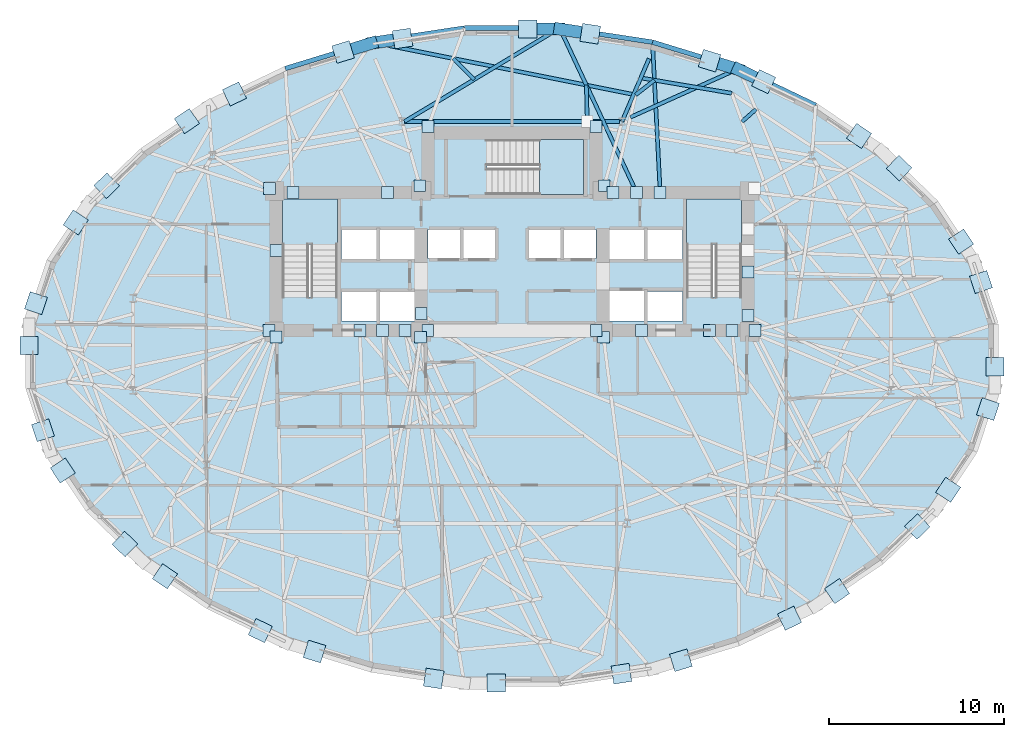
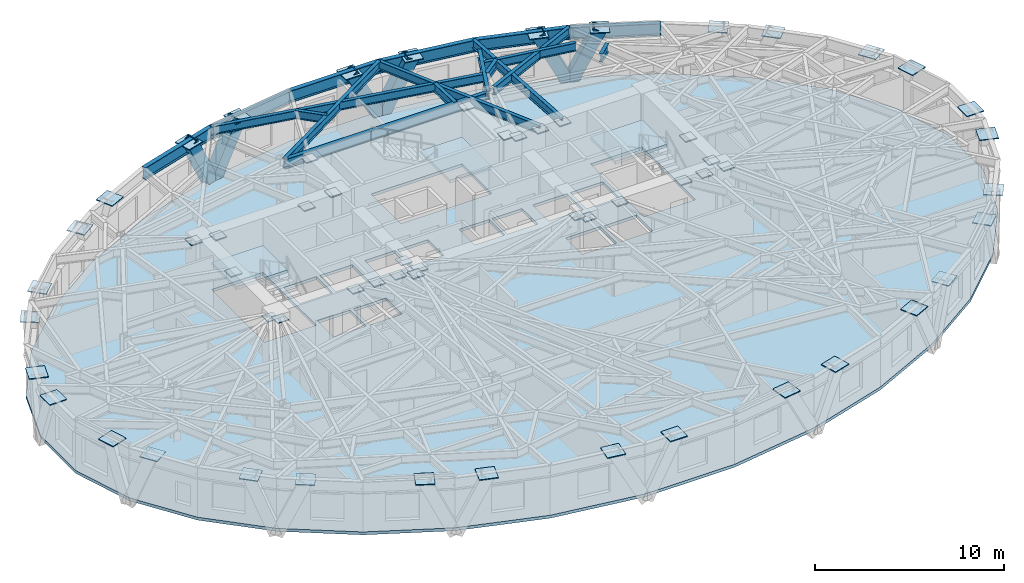
# One storey, part 5 of 14: 59 plates, 18 beams, 6 members, 4 slabs, 3 elements without a shape of their own.
"""IFC4 building model written with IfcOpenShell, lengths in metres."""

from ifc_helpers import new_model, si_unit, direction, frame, origin, origin_2d, place, context, subcontext, project, spatial, polyline, rectangle, hollow_rectangle, i_section, outline, extrude, material, layer, layer_set, material_profile, profile_set, type_object, element, aggregate, save


model = new_model("IFC4")

# Units and contexts
model_context = context("Model", 3, precision=1e-05, world=origin(), true_north=direction((0.0, 1.0)))
body_context = subcontext(model_context, "Body", "Model", "MODEL_VIEW")
ifc_project = project(units=[si_unit("LENGTHUNIT", "METRE"), si_unit("AREAUNIT", "SQUARE_METRE"), si_unit("VOLUMEUNIT", "CUBIC_METRE"), si_unit("PLANEANGLEUNIT", "RADIAN"), si_unit("MASSUNIT", "GRAM", prefix="KILO")], contexts=[model_context])

# Site, building, storey
site_placement = place(None, origin())
site = spatial("IfcSite", under=ifc_project, at=site_placement, CompositionType="ELEMENT")
building_placement = place(site_placement, origin())
building = spatial("IfcBuilding", under=site, at=building_placement, Name="Keldmark Tower", CompositionType="ELEMENT")
storey_placement = place(building_placement, frame((0.0, 0.0, 103.60009765625)))
storey = spatial("IfcBuildingStorey", under=building, at=storey_placement, Name="L27", CompositionType="ELEMENT", Elevation=103.60009765625)

# Members
ifc_material_1 = material(Name="Steel ASTM A572 Grade 50", Category="steel")
ifc_material_profile_1 = material_profile(ifc_material_1, hollow_rectangle(XDim=0.699951171875, YDim=0.699951171875, WallThickness=0.044921875, at=origin_2d()), Name="BOX700X700X45")
ifc_profile_set_1 = profile_set([ifc_material_profile_1], Name="Steel ASTM A572 Grade 50")
member_type = type_object("IfcMemberType", Name="Diagrid Zone 2 Brace BOX700X700X45", PredefinedType="BRACE", material=ifc_profile_set_1)
member_1_placement = place(storey_placement, frame((12.94677734375, 16.421630859375, -0.27001953125), z_axis=(0.384014962148, -0.183387258279, 0.904931832984), x_axis=(0.430935108563, 0.902382918836, 0.0)))
element("IfcMember", 1, at=member_1_placement, inside=storey, type_object=member_type, Name="L27 Perimeter Diagrid Brace 03A", PredefinedType="BRACE", context=body_context, shape_type="SweptSolid", body=[
    extrude(hollow_rectangle(XDim=0.699951171875, YDim=0.699951171875, WallThickness=0.044921875, at=origin_2d()), origin(), (0.0, 0.0, 1.0), 3.823486328125),
])
member_2_placement = place(storey_placement, frame((12.95654296875, 16.415283203125, -0.27001953125), z_axis=(-0.426031471632, 0.13032368416, 0.89527254092), x_axis=(-0.292521121678, -0.956259061851, 0.0)))
element("IfcMember", 2, at=member_2_placement, inside=storey, type_object=member_type, Name="L27 Perimeter Diagrid Brace 03B", PredefinedType="BRACE", context=body_context, shape_type="SweptSolid", body=[
    extrude(hollow_rectangle(XDim=0.699951171875, YDim=0.699951171875, WallThickness=0.044921875, at=origin_2d()), origin(), (0.0, 0.0, 1.0), 3.86474609375),
])
member_3_placement = place(storey_placement, frame((2.71240234375, 18.73095703125, -0.27001953125), z_axis=(0.454742835075, -0.069170031679, 0.887932689265), x_axis=(0.150378326098, 0.98862852429, 0.0)))
element("IfcMember", 3, at=member_3_placement, inside=storey, type_object=member_type, Name="L27 Perimeter Diagrid Brace 04A", PredefinedType="BRACE", context=body_context, shape_type="SweptSolid", body=[
    extrude(hollow_rectangle(XDim=0.699951171875, YDim=0.699951171875, WallThickness=0.044921875, at=origin_2d()), origin(), (0.0, 0.0, 1.0), 3.896728515625),
])
member_4_placement = place(storey_placement, frame((2.723876953125, 18.728759765625, -0.27001953125), z_axis=(-0.465504471346, 0.0, 0.885045528296), x_axis=(0.0, -1.0, 0.0)))
element("IfcMember", 4, at=member_4_placement, inside=storey, type_object=member_type, Name="L27 Perimeter Diagrid Brace 04B", PredefinedType="BRACE", context=body_context, shape_type="SweptSolid", body=[
    extrude(hollow_rectangle(XDim=0.699951171875, YDim=0.699951171875, WallThickness=0.044921875, at=origin_2d()), origin(), (0.0, 0.0, 1.0), 3.909423828125),
])
member_5_placement = place(storey_placement, frame((-8.039794921875, 17.919921875, -0.27001953125), z_axis=(0.454742835075, 0.069170031679, 0.887932689265), x_axis=(-0.150378326098, 0.98862852429, 0.0)))
element("IfcMember", 5, at=member_5_placement, inside=storey, type_object=member_type, Name="L27 Perimeter Diagrid Brace 05A", PredefinedType="BRACE", context=body_context, shape_type="SweptSolid", body=[
    extrude(hollow_rectangle(XDim=0.699951171875, YDim=0.699951171875, WallThickness=0.044921875, at=origin_2d()), origin(), (0.0, 0.0, 1.0), 3.896728515625),
])
member_6_placement = place(storey_placement, frame((-8.0283203125, 17.922119140625, -0.27001953125), z_axis=(-0.425979763501, -0.130327191473, 0.895296634781), x_axis=(0.292560790284, -0.956246926264, 0.0)))
element("IfcMember", 6, at=member_6_placement, inside=storey, type_object=member_type, Name="L27 Perimeter Diagrid Brace 05B", PredefinedType="BRACE", context=body_context, shape_type="SweptSolid", body=[
    extrude(hollow_rectangle(XDim=0.699951171875, YDim=0.699951171875, WallThickness=0.044921875, at=origin_2d()), origin(), (0.0, 0.0, 1.0), 3.864501953125),
])

# Beams
ifc_material_2 = material(Name="Steel ASTM A992 Grade 50", Category="steel")
ifc_material_profile_2 = material_profile(ifc_material_2, i_section(OverallWidth=0.22900390625, OverallDepth=0.612060546875, WebThickness=0.011962890625, FlangeThickness=0.01953125, at=origin_2d()), Name="W24X84")
ifc_profile_set_2 = profile_set([ifc_material_profile_2], Name="Steel ASTM A992 Grade 50")
beam_type_1 = type_object("IfcBeamType", Name="Primary Floor Girder W24X84", PredefinedType="BEAM", material=ifc_profile_set_2)
beam_1_placement = place(storey_placement, frame((6.15869140625, 13.4326171875, 3.00390625), z_axis=(-1.0, 0.0, 0.0), x_axis=(0.0, -1.0, 0.0)))
element("IfcBeam", 7, at=beam_1_placement, inside=storey, type_object=beam_type_1, Name="L27 Floor Ring Girder FG-R03", PredefinedType="BEAM", context=body_context, shape_type="SweptSolid", body=[
    extrude(i_section(OverallWidth=0.22900390625, OverallDepth=0.612060546875, WebThickness=0.011962890625, FlangeThickness=0.01953125, at=origin_2d()), origin(), (0.0, 0.0, 1.0), 12.3173828125),
])
ifc_material_3 = material(Name="Steel ASTM A992 Grade 50", Category="steel")
ifc_material_profile_3 = material_profile(ifc_material_3, i_section(OverallWidth=0.2099609375, OverallDepth=0.537109375, WebThickness=0.010986328125, FlangeThickness=0.017333984375, at=origin_2d()), Name="W21X68")
ifc_profile_set_3 = profile_set([ifc_material_profile_3], Name="Steel ASTM A992 Grade 50")
beam_type_2 = type_object("IfcBeamType", Name="Radial Tie Girder W21X68", PredefinedType="BEAM", material=ifc_profile_set_3)
beam_2_placement = place(storey_placement, frame((13.173583984375, 13.430419921875, 3.04150390625), z_axis=(0.751151083443, 0.660130327922, 0.0), x_axis=(-0.660130327922, 0.751151083443, 0.0)))
element("IfcBeam", 8, at=beam_2_placement, inside=storey, type_object=beam_type_2, Name="L27 Framing Pin Header PH-018", PredefinedType="BEAM", context=body_context, shape_type="SweptSolid", body=[
    extrude(i_section(OverallWidth=0.2099609375, OverallDepth=0.537109375, WebThickness=0.010986328125, FlangeThickness=0.017333984375, at=origin_2d()), origin(), (0.0, 0.0, 1.0), 1.062255859375),
])
beam_3_placement = place(storey_placement, frame((12.98486328125, 16.468017578125, 3.04150390625), z_axis=(-0.912145742508, -0.409866007891, 0.0), x_axis=(0.409866007891, -0.912145742508, 0.0)))
element("IfcBeam", 9, at=beam_3_placement, inside=storey, type_object=beam_type_2, Name="L27 Framing Pin Header PH-019", PredefinedType="BEAM", context=body_context, shape_type="SweptSolid", body=[
    extrude(i_section(OverallWidth=0.2099609375, OverallDepth=0.537109375, WebThickness=0.010986328125, FlangeThickness=0.017333984375, at=origin_2d()), origin(), (0.0, 0.0, 1.0), 6.800048828125),
])
beam_4_placement = place(storey_placement, frame((12.581298828125, 15.053955078125, 3.04150390625), z_axis=(-0.986041156876, 0.166501762596, 0.0), x_axis=(-0.166501762596, -0.986041156876, 0.0)))
element("IfcBeam", 10, at=beam_4_placement, inside=storey, type_object=beam_type_2, Name="L27 Local Collector Chord RT-07C", PredefinedType="BEAM", context=body_context, shape_type="SweptSolid", body=[
    extrude(i_section(OverallWidth=0.2099609375, OverallDepth=0.537109375, WebThickness=0.010986328125, FlangeThickness=0.017333984375, at=origin_2d()), origin(), (0.0, 0.0, 1.0), 5.34619140625),
])
beam_5_placement = place(storey_placement, frame((7.080078125, 14.958740234375, 3.04150390625), z_axis=(0.787685842988, 0.616077115917, 0.0), x_axis=(-0.616077115917, 0.787685842988, 0.0)))
element("IfcBeam", 11, at=beam_5_placement, inside=storey, type_object=beam_type_2, Name="L27 Framing Pin Header PH-020", PredefinedType="BEAM", context=body_context, shape_type="SweptSolid", body=[
    extrude(i_section(OverallWidth=0.2099609375, OverallDepth=0.537109375, WebThickness=0.010986328125, FlangeThickness=0.017333984375, at=origin_2d()), origin(), (0.0, 0.0, 1.0), 1.3671875),
])
beam_6_placement = place(storey_placement, frame((8.485595703125, 9.375, 3.04150390625), z_axis=(-0.051062569851, 0.998695456063, 0.0), x_axis=(-0.998695456063, -0.051062569851, 0.0)))
element("IfcBeam", 12, at=beam_6_placement, inside=storey, type_object=beam_type_2, Name="L27 Perimeter Radial Tie Girder RT-07", PredefinedType="BEAM", context=body_context, shape_type="SweptSolid", body=[
    extrude(i_section(OverallWidth=0.2099609375, OverallDepth=0.537109375, WebThickness=0.010986328125, FlangeThickness=0.017333984375, at=origin_2d()), origin(), (0.0, 0.0, 1.0), 8.61572265625),
])
beam_7_placement = place(storey_placement, frame((6.298828125, 13.4326171875, 3.04150390625), z_axis=(0.395437186935, 0.918493021851, 0.0), x_axis=(-0.918493021851, 0.395437186935, 0.0)))
element("IfcBeam", 13, at=beam_7_placement, inside=storey, type_object=beam_type_2, Name="L27 North Column Cantilever Girder East FG-TCN-E", PredefinedType="BEAM", context=body_context, shape_type="SweptSolid", body=[
    extrude(i_section(OverallWidth=0.2099609375, OverallDepth=0.537109375, WebThickness=0.010986328125, FlangeThickness=0.017333984375, at=origin_2d()), origin(), (0.0, 0.0, 1.0), 3.919921875),
])
beam_8_placement = place(storey_placement, frame((7.080078125, 14.958740234375, 3.04150390625), z_axis=(-0.980635427307, 0.195842178066, 0.0), x_axis=(-0.195842178066, -0.980635427307, 0.0)))
element("IfcBeam", 14, at=beam_8_placement, inside=storey, type_object=beam_type_2, Name="L27 Straddling Support Chord RT-08RB", PredefinedType="BEAM", context=body_context, shape_type="SweptSolid", body=[
    extrude(i_section(OverallWidth=0.2099609375, OverallDepth=0.537109375, WebThickness=0.010986328125, FlangeThickness=0.017333984375, at=origin_2d()), origin(), (0.0, 0.0, 1.0), 15.42431640625),
])
beam_9_placement = place(storey_placement, frame((4.311279296875, 13.4326171875, 3.04150390625), z_axis=(-0.025922835673, 0.999663946829, 0.0), x_axis=(-0.999663946829, -0.025922835673, 0.0)))
element("IfcBeam", 15, at=beam_9_placement, inside=storey, type_object=beam_type_2, Name="L27 Framing Pin Header PH-048", PredefinedType="BEAM", context=body_context, shape_type="SweptSolid", body=[
    extrude(i_section(OverallWidth=0.2099609375, OverallDepth=0.537109375, WebThickness=0.010986328125, FlangeThickness=0.017333984375, at=origin_2d()), origin(), (0.0, 0.0, 1.0), 2.0908203125),
])
beam_10_placement = place(storey_placement, frame((7.132080078125, 9.375, 3.04150390625), z_axis=(-0.423632565265, 0.905834118174, 0.0), x_axis=(-0.905834118174, -0.423632565265, 0.0)))
element("IfcBeam", 16, at=beam_10_placement, inside=storey, type_object=beam_type_2, Name="L27 Perimeter Radial Tie Girder RT-08R", PredefinedType="BEAM", context=body_context, shape_type="SweptSolid", body=[
    extrude(i_section(OverallWidth=0.2099609375, OverallDepth=0.537109375, WebThickness=0.010986328125, FlangeThickness=0.017333984375, at=origin_2d()), origin(), (0.0, 0.0, 1.0), 10.391845703125),
])
beam_11_placement = place(storey_placement, frame((2.729736328125, 18.788330078125, 3.04150390625), z_axis=(-0.856528221623, -0.516100189462, 0.0), x_axis=(0.516100189462, -0.856528221623, 0.0)))
element("IfcBeam", 17, at=beam_11_placement, inside=storey, type_object=beam_type_2, Name="L27 Straddling Support Chord RT-09RB", PredefinedType="BEAM", context=body_context, shape_type="SweptSolid", body=[
    extrude(i_section(OverallWidth=0.2099609375, OverallDepth=0.537109375, WebThickness=0.010986328125, FlangeThickness=0.017333984375, at=origin_2d()), origin(), (0.0, 0.0, 1.0), 10.377197265625),
])
beam_12_placement = place(storey_placement, frame((-2.158935546875, 15.8427734375, 3.04150390625), z_axis=(-0.709391899272, 0.704814254429, 0.0), x_axis=(-0.704814254429, -0.709391899272, 0.0)))
element("IfcBeam", 18, at=beam_12_placement, inside=storey, type_object=beam_type_2, Name="L27 Framing Pin Header PH-049", PredefinedType="BEAM", context=body_context, shape_type="SweptSolid", body=[
    extrude(i_section(OverallWidth=0.2099609375, OverallDepth=0.537109375, WebThickness=0.010986328125, FlangeThickness=0.017333984375, at=origin_2d()), origin(), (0.0, 0.0, 1.0), 1.70654296875),
])
ifc_material_4 = material(Name="Steel ASTM A992 Grade 50", Category="steel")
ifc_material_profile_4 = material_profile(ifc_material_4, i_section(OverallWidth=0.26806640625, OverallDepth=0.77001953125, WebThickness=0.015625, FlangeThickness=0.025390625, at=origin_2d()), Name="W30X132")
ifc_profile_set_4 = profile_set([ifc_material_profile_4], Name="Steel ASTM A992 Grade 50")
beam_type_3 = type_object("IfcBeamType", Name="Spandrel Ring Beam W30X132", PredefinedType="SPANDREL", material=ifc_profile_set_4)
beam_13_placement = place(storey_placement, frame((17.389892578125, 14.3642578125, 2.9248046875), z_axis=(-0.902372757907, 0.430956385018, 0.0), x_axis=(-0.430956385018, -0.902372757907, 0.0)))
element("IfcBeam", 19, at=beam_13_placement, inside=storey, type_object=beam_type_3, Name="L27 Perimeter Spandrel Ring Beam SRB-05", PredefinedType="SPANDREL", context=body_context, shape_type="SweptSolid", body=[
    extrude(i_section(OverallWidth=0.26806640625, OverallDepth=0.77001953125, WebThickness=0.015625, FlangeThickness=0.025390625, at=origin_2d()), origin(), (0.0, 0.0, 1.0), 4.881591796875),
])
beam_14_placement = place(storey_placement, frame((12.98486328125, 16.468017578125, 2.9248046875), z_axis=(-0.956228569431, 0.292620783617, 0.0), x_axis=(-0.292620783617, -0.956228569431, 0.0)))
element("IfcBeam", 20, at=beam_14_placement, inside=storey, type_object=beam_type_3, Name="L27 Perimeter Spandrel Ring Beam SRB-06", PredefinedType="SPANDREL", context=body_context, shape_type="SweptSolid", body=[
    extrude(i_section(OverallWidth=0.26806640625, OverallDepth=0.77001953125, WebThickness=0.015625, FlangeThickness=0.025390625, at=origin_2d()), origin(), (0.0, 0.0, 1.0), 5.165283203125),
])
beam_15_placement = place(storey_placement, frame((8.045654296875, 17.9794921875, 2.9248046875), z_axis=(-0.988621773192, 0.150422702975, 0.0), x_axis=(-0.150422702975, -0.988621773192, 0.0)))
element("IfcBeam", 21, at=beam_15_placement, inside=storey, type_object=beam_type_3, Name="L27 Perimeter Spandrel Ring Beam SRB-07", PredefinedType="SPANDREL", context=body_context, shape_type="SweptSolid", body=[
    extrude(i_section(OverallWidth=0.26806640625, OverallDepth=0.77001953125, WebThickness=0.015625, FlangeThickness=0.025390625, at=origin_2d()), origin(), (0.0, 0.0, 1.0), 5.377197265625),
])
beam_16_placement = place(storey_placement, frame((2.729736328125, 18.788330078125, 2.9248046875), z_axis=(-1.0, 0.0, 0.0), x_axis=(0.0, -1.0, 0.0)))
element("IfcBeam", 22, at=beam_16_placement, inside=storey, type_object=beam_type_3, Name="L27 Perimeter Spandrel Ring Beam SRB-08", PredefinedType="SPANDREL", context=body_context, shape_type="SweptSolid", body=[
    extrude(i_section(OverallWidth=0.26806640625, OverallDepth=0.77001953125, WebThickness=0.015625, FlangeThickness=0.025390625, at=origin_2d()), origin(), (0.0, 0.0, 1.0), 5.45947265625),
])
beam_17_placement = place(storey_placement, frame((-2.729736328125, 18.788330078125, 2.9248046875), z_axis=(-0.988621773192, -0.150422702975, 0.0), x_axis=(0.150422702975, -0.988621773192, 0.0)))
element("IfcBeam", 23, at=beam_17_placement, inside=storey, type_object=beam_type_3, Name="L27 Perimeter Spandrel Ring Beam SRB-09", PredefinedType="SPANDREL", context=body_context, shape_type="SweptSolid", body=[
    extrude(i_section(OverallWidth=0.26806640625, OverallDepth=0.77001953125, WebThickness=0.015625, FlangeThickness=0.025390625, at=origin_2d()), origin(), (0.0, 0.0, 1.0), 5.377197265625),
])
beam_18_placement = place(storey_placement, frame((-8.045654296875, 17.9794921875, 2.9248046875), z_axis=(-0.956228569431, -0.292620783617, 0.0), x_axis=(0.292620783617, -0.956228569431, 0.0)))
element("IfcBeam", 24, at=beam_18_placement, inside=storey, type_object=beam_type_3, Name="L27 Perimeter Spandrel Ring Beam SRB-10", PredefinedType="SPANDREL", context=body_context, shape_type="SweptSolid", body=[
    extrude(i_section(OverallWidth=0.26806640625, OverallDepth=0.77001953125, WebThickness=0.015625, FlangeThickness=0.025390625, at=origin_2d()), origin(), (0.0, 0.0, 1.0), 5.165283203125),
])

# Plates
ifc_material_5 = material(Name="Steel ASTM A572 Grade 50", Category="steel")
ifc_layer_1 = layer(ifc_material_5, 0.06005859375)
ifc_layer_set_1 = layer_set([ifc_layer_1], Name="Steel ASTM A572 Grade 50")
plate_type_1 = type_object("IfcPlateType", Name="Belt Truss Kink Node Assembly KN01 60 mm", PredefinedType="USERDEFINED", material=ifc_layer_set_1)
for number, where, z_axis, x_axis, name in (
    (25, (13.91162109375, 1.473388671875, 3.01416015625), (0.0, 0.0, 1.0), (1.0, 0.0, 0.0), "L27 Core Wall Cast-In Embed Plate 746"),
    (26, (5.28515625, 9.758544921875, 3.01416015625), (0.0, 0.0, 1.0), (1.0, 0.0, 0.0), "L27 Core Wall Cast-In Embed Plate 748"),
    (27, (-5.28515625, 9.758544921875, 3.01416015625), (0.0, 0.0, 1.0), (1.0, 0.0, 0.0), "L27 Core Wall Cast-In Embed Plate 749"),
    (28, (-13.878173828125, 9.608154296875, 3.01416015625), (0.0, 0.0, 1.0), (1.0, 0.0, 0.0), "L27 Core Wall Cast-In Embed Plate 750"),
    (29, (-13.91162109375, 1.473388671875, 3.01416015625), (0.0, 0.0, 1.0), (1.0, 0.0, 0.0), "L27 Core Wall Cast-In Embed Plate 751"),
    (30, (-5.24072265625, 1.08251953125, 3.01416015625), (0.0, 0.0, 1.0), (1.0, 0.0, 0.0), "L27 Core Wall Cast-In Embed Plate 752"),
    (31, (5.24072265625, 1.08251953125, 3.01416015625), (0.0, 0.0, 1.0), (1.0, 0.0, 0.0), "L27 Core Wall Cast-In Embed Plate 753"),
    (32, (4.800048828125, 13.14990234375, 3.01416015625), (0.0, 0.0, 1.0), (1.0, 0.0, 0.0), "L27 Core Wall Cast-In Embed Plate 754"),
    (33, (-7.132080078125, 9.375, 3.01416015625), (0.0, 0.0, 1.0), (1.0, 0.0, 0.0), "L27 Core Wall Cast-In Embed Plate 755"),
    (34, (-4.800048828125, 13.14990234375, 3.01416015625), (0.0, 0.0, 1.0), (1.0, 0.0, 0.0), "L27 Core Wall Cast-In Embed Plate 756"),
    (35, (-7.41796875, 1.47509765625, 3.01416015625), (0.0, 0.0, 1.0), (1.0, 0.0, 0.0), "L27 Core Wall Cast-In Embed Plate 757"),
    (36, (12.603515625, 1.47509765625, 3.01416015625), (0.0, 0.0, 1.0), (1.0, 0.0, 0.0), "L27 Core Wall Cast-In Embed Plate 758"),
    (37, (13.52490234375, 4.80712890625, 3.01416015625), (0.0, 0.0, 1.0), (1.0, 0.0, 0.0), "L27 Core Wall Cast-In Embed Plate 759"),
    (38, (5.778564453125, 9.375, 3.01416015625), (0.0, 0.0, 1.0), (1.0, 0.0, 0.0), "L27 Core Wall Cast-In Embed Plate 761"),
    (39, (8.485595703125, 9.375, 3.01416015625), (0.0, 0.0, 1.0), (1.0, 0.0, 0.0), "L27 Core Wall Cast-In Embed Plate 762"),
    (40, (-12.54638671875, 9.375, 3.01416015625), (0.0, 0.0, 1.0), (1.0, 0.0, 0.0), "L27 Core Wall Cast-In Embed Plate 763"),
    (41, (-13.52490234375, 6.04296875, 3.01416015625), (0.0, 0.0, 1.0), (1.0, 0.0, 0.0), "L27 Core Wall Cast-In Embed Plate 764"),
    (42, (-13.52490234375, 1.10009765625, 3.01416015625), (0.0, 0.0, 1.0), (1.0, 0.0, 0.0), "L27 Core Wall Cast-In Embed Plate 765"),
    (43, (4.824951171875, 1.47509765625, 3.01416015625), (0.0, 0.0, 1.0), (1.0, 0.0, 0.0), "L27 Core Wall Cast-In Embed Plate 766"),
    (44, (-8.71435546875, 1.47509765625, 3.01416015625), (0.0, 0.0, 1.0), (1.0, 0.0, 0.0), "L27 Core Wall Cast-In Embed Plate 767"),
    (45, (-6.121337890625, 1.47509765625, 3.01416015625), (0.0, 0.0, 1.0), (1.0, 0.0, 0.0), "L27 Core Wall Cast-In Embed Plate 768"),
    (46, (7.41796875, 1.47509765625, 3.01416015625), (0.0, 0.0, 1.0), (1.0, 0.0, 0.0), "L27 Core Wall Cast-In Embed Plate 769"),
    (47, (-5.199951171875, 2.449951171875, 3.01416015625), (0.0, 0.0, 1.0), (1.0, 0.0, 0.0), "L27 Core Wall Cast-In Embed Plate 770"),
    (48, (11.30712890625, 1.47509765625, 3.01416015625), (0.0, 0.0, 1.0), (1.0, 0.0, 0.0), "L27 Core Wall Cast-In Embed Plate 771"),
    (49, (-4.824951171875, 1.47509765625, 3.01416015625), (0.0, 0.0, 1.0), (1.0, 0.0, 0.0), "L27 Core Wall Cast-In Embed Plate 772"),
    (50, (13.52490234375, 2.335693359375, 3.01416015625), (0.0, 0.0, 1.0), (1.0, 0.0, 0.0), "L27 Core Wall Cast-In Embed Plate 773"),
    (51, (7.132080078125, 9.375, 3.01416015625), (0.0, 0.0, 1.0), (1.0, 0.0, 0.0), "L27 Core Wall Cast-In Embed Plate 776"),
):
    element("IfcPlate", number, at=place(storey_placement, frame(where, z_axis=z_axis, x_axis=x_axis)), inside=storey, type_object=plate_type_1, Name=name, ObjectType="CAP PLATE", PredefinedType="USERDEFINED", context=body_context, shape_type="SweptSolid", body=[
        extrude(rectangle(XDim=0.679931640625, YDim=0.679931640625, at=origin_2d()), origin(), (0.0, 0.0, 1.0), 0.054931640625),
    ])
ifc_material_6 = material(Name="Steel ASTM A572 Grade 50", Category="steel")
ifc_layer_2 = layer(ifc_material_6, 0.054931640625)
ifc_layer_set_2 = layer_set([ifc_layer_2], Name="Steel ASTM A572 Grade 50")
plate_type_2 = type_object("IfcPlateType", Name="Diagrid Node Assembly DN03 55 mm", PredefinedType="USERDEFINED", material=ifc_layer_set_2)
for number, where, z_axis, x_axis, name in (
    (52, (26.860595703125, 4.2470703125, 3.16259765625), (0.0, 0.0, 1.0), (-0.314323848843, 0.949315815758, 0.0), "L27 Diagrid Node Assembly 01"),
    (53, (25.721923828125, 6.552734375, 3.16259765625), (0.0, 0.0, 1.0), (-0.554263478737, 0.832341273841, 0.0), "L27 Diagrid Node Assembly 02"),
    (54, (22.171142578125, 10.764892578125, 3.16259765625), (0.0, 0.0, 1.0), (-0.72055111168, 0.693401828276, 0.0), "L27 Diagrid Node Assembly 03"),
    (55, (19.876708984375, 12.60888671875, 3.16259765625), (0.0, 0.0, 1.0), (-0.827766671236, 0.56107248907, 0.0), "L27 Diagrid Node Assembly 04"),
    (56, (14.4150390625, 15.720458984375, 3.16259765625), (0.0, 0.0, 1.0), (-0.902359745553, 0.430983630323, 0.0), "L27 Diagrid Node Assembly 05"),
    (57, (11.31005859375, 16.9189453125, 3.16259765625), (0.0, 0.0, 1.0), (-0.956202640726, 0.292705500237, 0.0), "L27 Diagrid Node Assembly 06"),
    (58, (4.484375, 18.46142578125, 3.16259765625), (0.0, 0.0, 1.0), (-0.988625510369, 0.150398139113, 0.0), "L27 Diagrid Node Assembly 07"),
    (59, (0.904052734375, 18.728759765625, 3.16259765625), (0.0, 0.0, 1.0), (-1.0, 0.0, 0.0), "L27 Diagrid Node Assembly 08"),
    (60, (-6.267822265625, 18.189453125, 3.16259765625), (0.0, 0.0, 1.0), (-0.988625510369, -0.150398139113, 0.0), "L27 Diagrid Node Assembly 09"),
    (61, (-9.674560546875, 17.41845703125, 3.16259765625), (0.0, 0.0, 1.0), (-0.956202640726, -0.292705500237, 0.0), "L27 Diagrid Node Assembly 10"),
    (62, (-15.893310546875, 15.0126953125, 3.16259765625), (0.0, 0.0, 1.0), (-0.902359745553, -0.430983630323, 0.0), "L27 Diagrid Node Assembly 11"),
    (63, (-18.618408203125, 13.459228515625, 3.16259765625), (0.0, 0.0, 1.0), (-0.827766671236, -0.56107248907, 0.0), "L27 Diagrid Node Assembly 12"),
    (64, (-23.212158203125, 9.759765625, 3.16259765625), (0.0, 0.0, 1.0), (-0.72055111168, -0.693401828276, 0.0), "L27 Diagrid Node Assembly 13"),
    (65, (-24.9833984375, 7.657958984375, 3.16259765625), (0.0, 0.0, 1.0), (-0.554263478737, -0.832341273841, 0.0), "L27 Diagrid Node Assembly 14"),
    (66, (-27.260498046875, 3.0341796875, 3.16259765625), (0.0, 0.0, 1.0), (-0.314323848843, -0.949315815758, 0.0), "L27 Diagrid Node Assembly 15"),
    (67, (-27.656005859375, 0.61083984375, 3.16259765625), (0.0, 0.0, 1.0), (0.0, -1.0, 0.0), "L27 Diagrid Node Assembly 16"),
    (68, (-26.860595703125, -4.2470703125, 3.16259765625), (0.0, 0.0, 1.0), (0.314323848843, -0.949315815758, 0.0), "L27 Diagrid Node Assembly 17"),
    (69, (-25.721923828125, -6.552734375, 3.16259765625), (0.0, 0.0, 1.0), (0.554263478737, -0.832341273841, 0.0), "L27 Diagrid Node Assembly 18"),
    (70, (-22.171142578125, -10.764892578125, 3.16259765625), (0.0, 0.0, 1.0), (0.72055111168, -0.693401828276, 0.0), "L27 Diagrid Node Assembly 19"),
    (71, (-19.876708984375, -12.60888671875, 3.16259765625), (0.0, 0.0, 1.0), (0.827766671236, -0.56107248907, 0.0), "L27 Diagrid Node Assembly 20"),
    (72, (-14.4150390625, -15.720458984375, 3.16259765625), (0.0, 0.0, 1.0), (0.902359745553, -0.430983630323, 0.0), "L27 Diagrid Node Assembly 21"),
    (73, (-11.31005859375, -16.9189453125, 3.16259765625), (0.0, 0.0, 1.0), (0.956202640726, -0.292705500237, 0.0), "L27 Diagrid Node Assembly 22"),
    (74, (-4.484375, -18.46142578125, 3.16259765625), (0.0, 0.0, 1.0), (0.988625510369, -0.150398139113, 0.0), "L27 Diagrid Node Assembly 23"),
    (75, (-0.904052734375, -18.728759765625, 3.16259765625), (0.0, 0.0, 1.0), (1.0, 0.0, 0.0), "L27 Diagrid Node Assembly 24"),
    (76, (6.267822265625, -18.189453125, 3.16259765625), (0.0, 0.0, 1.0), (0.988625510369, 0.150398139113, 0.0), "L27 Diagrid Node Assembly 25"),
    (77, (9.674560546875, -17.41845703125, 3.16259765625), (0.0, 0.0, 1.0), (0.956202640726, 0.292705500237, 0.0), "L27 Diagrid Node Assembly 26"),
    (78, (15.893310546875, -15.0126953125, 3.16259765625), (0.0, 0.0, 1.0), (0.902359745553, 0.430983630323, 0.0), "L27 Diagrid Node Assembly 27"),
    (79, (18.618408203125, -13.459228515625, 3.16259765625), (0.0, 0.0, 1.0), (0.827766671236, 0.56107248907, 0.0), "L27 Diagrid Node Assembly 28"),
    (80, (23.212158203125, -9.759765625, 3.16259765625), (0.0, 0.0, 1.0), (0.72055111168, 0.693401828276, 0.0), "L27 Diagrid Node Assembly 29"),
    (81, (24.9833984375, -7.657958984375, 3.16259765625), (0.0, 0.0, 1.0), (0.554263478737, 0.832341273841, 0.0), "L27 Diagrid Node Assembly 30"),
    (82, (27.260498046875, -3.0341796875, 3.16259765625), (0.0, 0.0, 1.0), (0.314323848843, 0.949315815758, 0.0), "L27 Diagrid Node Assembly 31"),
    (83, (27.656005859375, -0.61083984375, 3.16259765625), (0.0, 0.0, 1.0), (0.0, 1.0, 0.0), "L27 Diagrid Node Assembly 32"),
):
    element("IfcPlate", number, at=place(storey_placement, frame(where, z_axis=z_axis, x_axis=x_axis)), inside=storey, type_object=plate_type_2, Name=name, ObjectType="GUSSET", PredefinedType="USERDEFINED", context=body_context, shape_type="SweptSolid", body=[
        extrude(rectangle(XDim=1.0400390625, YDim=1.0400390625, at=origin_2d()), origin(), (0.0, 0.0, 1.0), 0.054931640625),
    ])

# Slab
ifc_material_7 = material(Name="Concrete C35/45", Category="concrete")
ifc_layer_3 = layer(ifc_material_7, 0.18994140625)
ifc_layer_set_3 = layer_set([ifc_layer_3], Name="Concrete C35/45")
slab_type_1 = type_object("IfcSlabType", Name="Mid-Rise Office Composite Slab 190 mm", PredefinedType="FLOOR", material=ifc_layer_set_3)
slab_1_placement = place(storey_placement, frame((0.0, 0.0, -0.190185546875)))
element("IfcSlab", 84, at=slab_1_placement, inside=storey, type_object=slab_type_1, Name="L27 Composite Structural Floor Slab", PredefinedType="FLOOR", context=body_context, shape_type="SweptSolid", body=[
    extrude(outline(polyline([(27.7158203125, 1.8505859375), (26.522705078125, 5.4541015625), (24.29296875, 8.802490234375), (21.189697265625, 11.78857421875), (17.389892578125, 14.3642578125), (12.98486328125, 16.468017578125), (8.045654296875, 17.9794921875), (2.729736328125, 18.788330078125), (-2.729736328125, 18.788330078125), (-8.045654296875, 17.9794921875), (-12.98486328125, 16.468017578125), (-17.389892578125, 14.3642578125), (-21.189697265625, 11.78857421875), (-24.29296875, 8.802490234375), (-26.522705078125, 5.4541015625), (-27.7158203125, 1.8505859375), (-27.7158203125, -1.8505859375), (-26.522705078125, -5.4541015625), (-24.29296875, -8.802490234375), (-21.189697265625, -11.78857421875), (-17.389892578125, -14.3642578125), (-12.98486328125, -16.468017578125), (-8.045654296875, -17.9794921875), (-2.729736328125, -18.788330078125), (2.729736328125, -18.788330078125), (8.045654296875, -17.9794921875), (12.98486328125, -16.468017578125), (17.389892578125, -14.3642578125), (21.189697265625, -11.78857421875), (24.29296875, -8.802490234375), (26.522705078125, -5.4541015625), (27.7158203125, -1.8505859375), (27.7158203125, 1.8505859375)]), holes=[polyline([(-10.0, 3.385009765625), (-10.0, 9.0), (-13.14990234375, 9.0), (-13.14990234375, 3.385009765625), (-10.0, 3.385009765625)]), polyline([(13.14990234375, 3.385009765625), (13.14990234375, 9.0), (10.0, 9.0), (10.0, 3.385009765625), (13.14990234375, 3.385009765625)]), polyline([(-1.43994140625, 9.25), (4.10498046875, 9.25), (4.10498046875, 12.39990234375), (-1.43994140625, 12.39990234375), (-1.43994140625, 9.25)]), polyline([(-9.75, 2.0), (-7.75, 2.0), (-7.75, 3.699951171875), (-9.75, 3.699951171875), (-9.75, 2.0)]), polyline([(7.75, 2.0), (9.75, 2.0), (9.75, 3.699951171875), (7.75, 3.699951171875), (7.75, 2.0)]), polyline([(5.449951171875, 2.0), (7.550048828125, 2.0), (7.550048828125, 3.75), (5.449951171875, 3.75), (5.449951171875, 2.0)]), polyline([(-4.800048828125, 5.60009765625), (-2.949951171875, 5.60009765625), (-2.949951171875, 7.25), (-4.800048828125, 7.25), (-4.800048828125, 5.60009765625)]), polyline([(-2.800048828125, 5.60009765625), (-0.949951171875, 5.60009765625), (-0.949951171875, 7.25), (-2.800048828125, 7.25), (-2.800048828125, 5.60009765625)]), polyline([(0.949951171875, 5.60009765625), (2.800048828125, 5.60009765625), (2.800048828125, 7.25), (0.949951171875, 7.25), (0.949951171875, 5.60009765625)]), polyline([(2.949951171875, 5.60009765625), (4.800048828125, 5.60009765625), (4.800048828125, 7.25), (2.949951171875, 7.25), (2.949951171875, 5.60009765625)]), polyline([(-9.75, 5.550048828125), (-7.75, 5.550048828125), (-7.75, 7.25), (-9.75, 7.25), (-9.75, 5.550048828125)]), polyline([(-7.550048828125, 5.550048828125), (-5.550048828125, 5.550048828125), (-5.550048828125, 7.25), (-7.550048828125, 7.25), (-7.550048828125, 5.550048828125)]), polyline([(-7.550048828125, 2.0), (-5.550048828125, 2.0), (-5.550048828125, 3.699951171875), (-7.550048828125, 3.699951171875), (-7.550048828125, 2.0)]), polyline([(5.449951171875, 5.550048828125), (7.550048828125, 5.550048828125), (7.550048828125, 7.25), (5.449951171875, 7.25), (5.449951171875, 5.550048828125)]), polyline([(7.75, 5.550048828125), (9.75, 5.550048828125), (9.75, 7.25), (7.75, 7.25), (7.75, 5.550048828125)])]), origin(), (0.0, 0.0, 1.0), 0.190185546875),
])

# Stair, slab
ifc_material_8 = material(Name="Concrete C40/50", Category="concrete")
stair_type = type_object("IfcStairType", Name="Precast Concrete Core Exit Stair", PredefinedType="HALF_TURN_STAIR", material=ifc_material_8)
stair_1_placement = place(storey_placement, origin())
stair_1 = element("IfcStair", 85, at=stair_1_placement, inside=storey, type_object=stair_type, Name="L27 Exit Stair ST1", PredefinedType="HALF_TURN_STAIR")
ifc_material_9 = material(Name="Concrete C40/50", Category="concrete")
ifc_layer_4 = layer(ifc_material_9, 0.199951171875)
ifc_layer_set_4 = layer_set([ifc_layer_4], Name="Concrete C40/50")
slab_type_2 = type_object("IfcSlabType", Name="Reinforced Concrete Stair Landing 200 mm", PredefinedType="LANDING", material=ifc_layer_set_4)
slab_2_placement = place(storey_placement, frame((0.0, 0.0, 1.5498046875)))
slab_2 = element("IfcSlab", 86, at=slab_2_placement, type_object=slab_type_2, Name="ST1 landing 1", PredefinedType="LANDING", context=body_context, shape_type="SweptSolid", body=[
    extrude(outline(polyline([(-10.0, 6.389892578125), (-10.0, 9.0), (-13.14990234375, 9.0), (-13.14990234375, 6.389892578125), (-10.0, 6.389892578125)])), origin(), (0.0, 0.0, 1.0), 0.2001953125),
])
aggregate(stair_1, [slab_2])

stair_2_placement = place(storey_placement, origin())
stair_2 = element("IfcStair", 87, at=stair_2_placement, inside=storey, type_object=stair_type, Name="L27 Exit Stair ST2", PredefinedType="HALF_TURN_STAIR")
slab_3_placement = place(storey_placement, frame((0.0, 0.0, 1.5498046875)))
slab_3 = element("IfcSlab", 88, at=slab_3_placement, type_object=slab_type_2, Name="ST2 landing 1", PredefinedType="LANDING", context=body_context, shape_type="SweptSolid", body=[
    extrude(outline(polyline([(13.14990234375, 6.389892578125), (13.14990234375, 9.0), (10.0, 9.0), (10.0, 6.389892578125), (13.14990234375, 6.389892578125)])), origin(), (0.0, 0.0, 1.0), 0.2001953125),
])
aggregate(stair_2, [slab_3])

stair_3_placement = place(storey_placement, origin())
stair_3 = element("IfcStair", 89, at=stair_3_placement, inside=storey, type_object=stair_type, Name="L27 Exit Stair ST3", PredefinedType="HALF_TURN_STAIR")
slab_4_placement = place(storey_placement, frame((0.0, 0.0, 1.5498046875)))
slab_4 = element("IfcSlab", 90, at=slab_4_placement, type_object=slab_type_2, Name="ST3 landing 1", PredefinedType="LANDING", context=body_context, shape_type="SweptSolid", body=[
    extrude(outline(polyline([(1.56494140625, 9.25), (4.10498046875, 9.25), (4.10498046875, 12.39990234375), (1.56494140625, 12.39990234375), (1.56494140625, 9.25)])), origin(), (0.0, 0.0, 1.0), 0.2001953125),
])
aggregate(stair_3, [slab_4])

save(model, "model.ifc")
